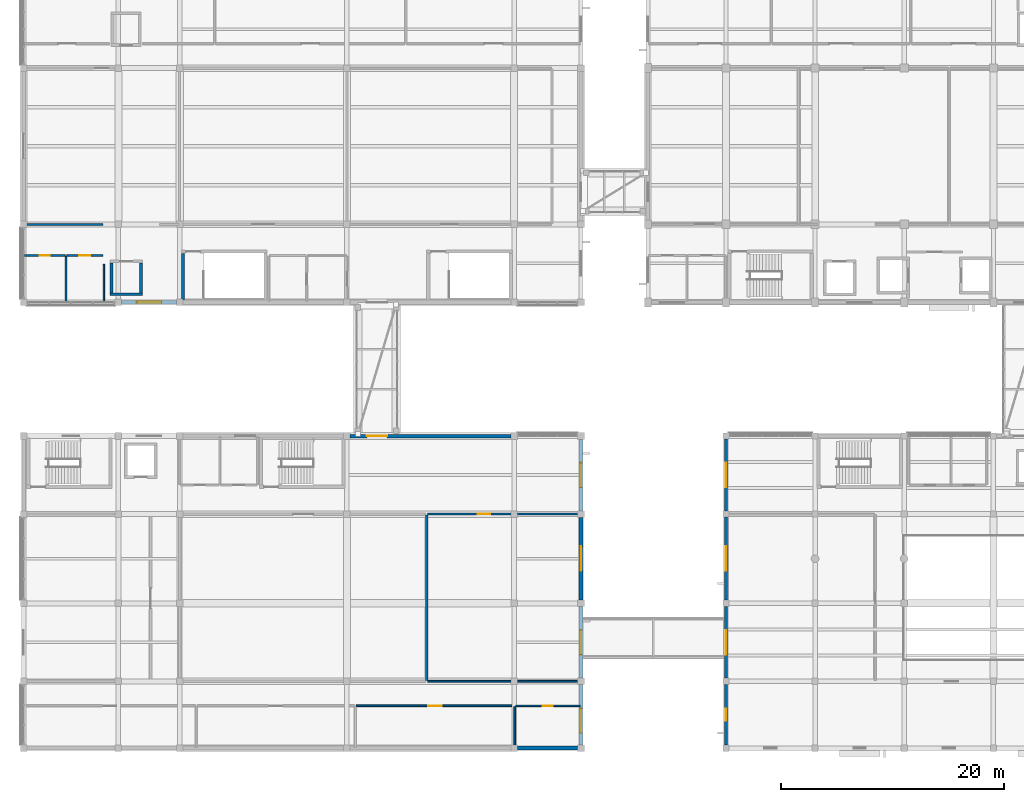
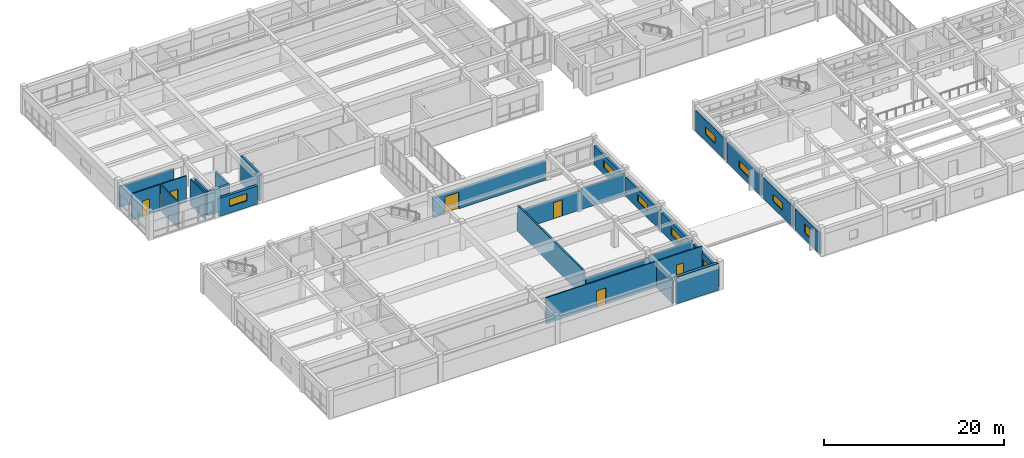
# One storey, part 45 of 66: 28 walls, 9 windows, 6 doors, 15 openings.
"""IFC4 building model written with IfcOpenShell, lengths in metres."""

from ifc_helpers import new_model, si_unit, direction, frame, frame_2d, origin, place, context, subcontext, project, spatial, rectangle, extrude, material, layer, layer_set, type_object, element, fill, save


model = new_model("IFC4")

# Units and contexts
model_context = context("Model", 3, precision=1e-05, world=origin(), true_north=direction((0.0, 1.0)))
body_context = subcontext(model_context, "Body", "Model", "MODEL_VIEW")
ifc_project = project(units=[si_unit("LENGTHUNIT", "METRE"), si_unit("AREAUNIT", "SQUARE_METRE"), si_unit("VOLUMEUNIT", "CUBIC_METRE"), si_unit("PLANEANGLEUNIT", "RADIAN"), si_unit("MASSUNIT", "GRAM", prefix="KILO")], contexts=[model_context])

# Site, building, storey
site_placement = place(None, origin())
site = spatial("IfcSite", under=ifc_project, at=site_placement, CompositionType="ELEMENT")
building_placement = place(site_placement, origin())
building = spatial("IfcBuilding", under=site, at=building_placement, Name="Naurynzar Civic Courthouse", CompositionType="ELEMENT")
storey_placement = place(building_placement, frame((0.0, 0.0, 14.39990234375)))
storey = spatial("IfcBuildingStorey", under=building, at=storey_placement, Name="L04", CompositionType="ELEMENT", Elevation=14.39990234375)

# Walls
ifc_material_1 = material(Name="Acoustic Double-Stud Gypsum Partition")
ifc_layer_1 = layer(ifc_material_1, 0.2099609375)
ifc_layer_set_1 = layer_set([ifc_layer_1], Name="WL-ACOUSTIC-210")
wall_type_1 = type_object("IfcWallType", Name="WL-ACOUSTIC-210", PredefinedType="PARTITIONING", material=ifc_layer_set_1)
wall_1_placement = place(storey_placement, frame((42.14990234375, 10.080078125, 0.0), z_axis=(0.0, 0.0, 1.0), x_axis=(0.0, 1.0, 0.0)))
element("IfcWall", 1, at=wall_1_placement, inside=storey, type_object=wall_type_1, Name="V4 interior partition L04.528", PredefinedType="PARTITIONING", context=body_context, shape_type="SweptSolid", body=[
    extrude(rectangle(XDim=14.83984375, YDim=0.2099609375, at=frame_2d((7.419921875, 0.0))), origin(), (0.0, 0.0, 1.0), 3.5400390625),
])
ifc_material_2 = material(Name="Concrete C40/50", Category="concrete")
ifc_layer_2 = layer(ifc_material_2, 0.300048828125)
ifc_layer_set_2 = layer_set([ifc_layer_2], Name="WL-CORE-300")
wall_type_2 = type_object("IfcWallType", Name="WL-CORE-300", PredefinedType="SHEAR", material=ifc_layer_set_2)
wall_2_placement = place(storey_placement, frame((20.300048828125, 48.39501953125, 0.0), z_axis=(0.0, 0.0, 1.0), x_axis=(0.0, -1.0, 0.0)))
element("IfcWall", 2, at=wall_2_placement, inside=storey, type_object=wall_type_2, Name="Stair ST-V1A enclosure wall west L04", PredefinedType="SHEAR", context=body_context, shape_type="SweptSolid", body=[
    extrude(rectangle(XDim=4.199951171875, YDim=0.300048828125, at=frame_2d((2.10009765625, 0.0))), origin(), (0.0, 0.0, 1.0), 3.6201171875),
])

# Wall, opening, window
ifc_material_3 = material(Name="Precast concrete C40/50", Category="concrete")
ifc_layer_3 = layer(ifc_material_3, 0.260009765625)
ifc_layer_set_3 = layer_set([ifc_layer_3], Name="WL-EXT-260")
wall_type_3 = type_object("IfcWallType", Name="WL-EXT-260", PredefinedType="SOLIDWALL", material=ifc_layer_set_3)
wall_3_placement = place(storey_placement, frame((69.0, 4.27490234375, 0.0), z_axis=(0.0, 0.0, 1.0), x_axis=(0.0, 1.0, 0.0)))
wall_3 = element("IfcWall", 3, at=wall_3_placement, inside=storey, type_object=wall_type_3, Name="V3 exterior wall west L04.1.1", PredefinedType="SOLIDWALL", context=body_context, shape_type="SweptSolid", body=[
    extrude(rectangle(XDim=5.4501953125, YDim=0.260009765625, at=frame_2d((2.72509765625, 0.0))), origin(), (0.0, 0.0, 1.0), 2.840087890625),
])
opening_1_placement = place(wall_3_placement, frame((2.175048828125, 0.0, 0.89990234375)))
opening_1 = element("IfcOpeningElement", 4, at=opening_1_placement, cuts=wall_3, Name="Opening WN-15", PredefinedType="OPENING", context=body_context, shape_type="SweptSolid", body=[
    extrude(rectangle(XDim=1.10009765625, YDim=1.199951171875, at=frame_2d((0.550048828125, 0.60009765625))), frame((0.0, 0.139892578125, 0.0), z_axis=(0.0, -1.0, 0.0), x_axis=(1.0, 0.0, 0.0)), (0.0, 0.0, 1.0), 0.280029296875),
])
ifc_material_4 = material(Name="Tempered Laminated Low-E Glass", Category="glass")
window_type_1 = type_object("IfcWindowType", Name="WIN-SEC-1100x1200", PartitioningType="SINGLE_PANEL", PredefinedType="WINDOW", material=ifc_material_4)
window_1_placement = place(opening_1_placement, origin())
window_1 = element("IfcWindow", 5, at=window_1_placement, inside=storey, type_object=window_type_1, Name="V3 window 178 L04", OverallHeight=1.199951171875, OverallWidth=1.10009765625, PartitioningType="SINGLE_PANEL", PredefinedType="WINDOW", context=body_context, shape_type="SweptSolid", body=[
    extrude(rectangle(XDim=1.10009765625, YDim=1.199951171875, at=frame_2d((0.550048828125, 0.60009765625))), frame((0.0, 0.030029296875, 0.0), z_axis=(0.0, -1.0, 0.0), x_axis=(1.0, 0.0, 0.0)), (0.0, 0.0, 1.0), 0.06005859375),
])
fill(opening_1, window_1)

wall_4_placement = place(storey_placement, frame((69.0, 10.27490234375, 0.0), z_axis=(0.0, 0.0, 1.0), x_axis=(0.0, 1.0, 0.0)))
wall_4 = element("IfcWall", 6, at=wall_4_placement, inside=storey, type_object=wall_type_3, Name="V3 exterior wall west L04.2.1", PredefinedType="SOLIDWALL", context=body_context, shape_type="SweptSolid", body=[
    extrude(rectangle(XDim=6.4501953125, YDim=0.260009765625, at=frame_2d((3.22509765625, 0.0))), origin(), (0.0, 0.0, 1.0), 2.840087890625),
])
opening_2_placement = place(wall_4_placement, frame((2.125, 0.0, 0.89990234375)))
opening_2 = element("IfcOpeningElement", 7, at=opening_2_placement, cuts=wall_4, Name="Opening WN-18", PredefinedType="OPENING", context=body_context, shape_type="SweptSolid", body=[
    extrude(rectangle(XDim=2.199951171875, YDim=1.0, at=frame_2d((1.10009765625, 0.5))), frame((0.0, 0.139892578125, 0.0), z_axis=(0.0, -1.0, 0.0), x_axis=(1.0, 0.0, 0.0)), (0.0, 0.0, 1.0), 0.280029296875),
])
ifc_material_5 = material(Name="Tempered Laminated Low-E Glass", Category="glass")
window_type_2 = type_object("IfcWindowType", Name="WIN-CLER-2200x1000", PartitioningType="DOUBLE_PANEL_VERTICAL", PredefinedType="WINDOW", material=ifc_material_5)
window_2_placement = place(opening_2_placement, origin())
window_2 = element("IfcWindow", 8, at=window_2_placement, inside=storey, type_object=window_type_2, Name="V3 window 179 L04", OverallHeight=1.0, OverallWidth=2.199951171875, PartitioningType="SINGLE_PANEL", PredefinedType="WINDOW", context=body_context, shape_type="SweptSolid", body=[
    extrude(rectangle(XDim=2.199951171875, YDim=1.0, at=frame_2d((1.10009765625, 0.5))), frame((0.0, 0.030029296875, 0.0), z_axis=(0.0, -1.0, 0.0), x_axis=(1.0, 0.0, 0.0)), (0.0, 0.0, 1.0), 0.06005859375),
])
fill(opening_2, window_2)

wall_5_placement = place(storey_placement, frame((69.0, 17.27490234375, 0.0), z_axis=(0.0, 0.0, 1.0), x_axis=(0.0, 1.0, 0.0)))
wall_5 = element("IfcWall", 9, at=wall_5_placement, inside=storey, type_object=wall_type_3, Name="V3 exterior wall west L04.3.1", PredefinedType="SOLIDWALL", context=body_context, shape_type="SweptSolid", body=[
    extrude(rectangle(XDim=7.4501953125, YDim=0.260009765625, at=frame_2d((3.72509765625, 0.0))), origin(), (0.0, 0.0, 1.0), 2.840087890625),
])
opening_3_placement = place(wall_5_placement, frame((2.625, 0.0, 0.89990234375)))
opening_3 = element("IfcOpeningElement", 10, at=opening_3_placement, cuts=wall_5, Name="Opening WN-18", PredefinedType="OPENING", context=body_context, shape_type="SweptSolid", body=[
    extrude(rectangle(XDim=2.199951171875, YDim=1.0, at=frame_2d((1.10009765625, 0.5))), frame((0.0, 0.139892578125, 0.0), z_axis=(0.0, -1.0, 0.0), x_axis=(1.0, 0.0, 0.0)), (0.0, 0.0, 1.0), 0.280029296875),
])
window_3_placement = place(opening_3_placement, origin())
window_3 = element("IfcWindow", 11, at=window_3_placement, inside=storey, type_object=window_type_2, Name="V3 window 180 L04", OverallHeight=1.0, OverallWidth=2.199951171875, PartitioningType="SINGLE_PANEL", PredefinedType="WINDOW", context=body_context, shape_type="SweptSolid", body=[
    extrude(rectangle(XDim=2.199951171875, YDim=1.0, at=frame_2d((1.10009765625, 0.5))), frame((0.0, 0.030029296875, 0.0), z_axis=(0.0, -1.0, 0.0), x_axis=(1.0, 0.0, 0.0)), (0.0, 0.0, 1.0), 0.06005859375),
])
fill(opening_3, window_3)

wall_6_placement = place(storey_placement, frame((69.0, 25.27490234375, 0.0), z_axis=(0.0, 0.0, 1.0), x_axis=(0.0, 1.0, 0.0)))
wall_6 = element("IfcWall", 12, at=wall_6_placement, inside=storey, type_object=wall_type_3, Name="V3 exterior wall west L04.4.1", PredefinedType="SOLIDWALL", context=body_context, shape_type="SweptSolid", body=[
    extrude(rectangle(XDim=6.4501953125, YDim=0.260009765625, at=frame_2d((3.22509765625, 0.0))), origin(), (0.0, 0.0, 1.0), 2.840087890625),
])
opening_4_placement = place(wall_6_placement, frame((2.125, 0.0, 0.89990234375)))
opening_4 = element("IfcOpeningElement", 13, at=opening_4_placement, cuts=wall_6, Name="Opening WN-18", PredefinedType="OPENING", context=body_context, shape_type="SweptSolid", body=[
    extrude(rectangle(XDim=2.199951171875, YDim=1.0, at=frame_2d((1.10009765625, 0.5))), frame((0.0, 0.139892578125, 0.0), z_axis=(0.0, -1.0, 0.0), x_axis=(1.0, 0.0, 0.0)), (0.0, 0.0, 1.0), 0.280029296875),
])
window_4_placement = place(opening_4_placement, origin())
window_4 = element("IfcWindow", 14, at=window_4_placement, inside=storey, type_object=window_type_2, Name="V3 window 181 L04", OverallHeight=1.0, OverallWidth=2.199951171875, PartitioningType="SINGLE_PANEL", PredefinedType="WINDOW", context=body_context, shape_type="SweptSolid", body=[
    extrude(rectangle(XDim=2.199951171875, YDim=1.0, at=frame_2d((1.10009765625, 0.5))), frame((0.0, 0.030029296875, 0.0), z_axis=(0.0, -1.0, 0.0), x_axis=(1.0, 0.0, 0.0)), (0.0, 0.0, 1.0), 0.06005859375),
])
fill(opening_4, window_4)

ifc_material_6 = material(Name="Precast concrete C40/50", Category="concrete")
ifc_layer_4 = layer(ifc_material_6, 0.320068359375)
ifc_layer_set_4 = layer_set([ifc_layer_4], Name="WL-EXT-320")
wall_type_4 = type_object("IfcWallType", Name="WL-EXT-320", PredefinedType="SOLIDWALL", material=ifc_layer_set_4)
wall_7_placement = place(storey_placement, frame((19.699951171875, 44.0, 0.0), z_axis=(0.0, 0.0, 1.0), x_axis=(-1.0, 0.0, 0.0)))
wall_7 = element("IfcWall", 15, at=wall_7_placement, inside=storey, type_object=wall_type_4, Name="V1 exterior wall south L04.4.1", PredefinedType="SOLIDWALL", context=body_context, shape_type="SweptSolid", body=[
    extrude(rectangle(XDim=4.89990234375, YDim=0.320068359375, at=frame_2d((2.449951171875, 0.0))), origin(), (0.0, 0.0, 1.0), 2.460205078125),
])
opening_5_placement = place(wall_7_placement, frame((1.35009765625, 0.0, 0.89990234375)))
opening_5 = element("IfcOpeningElement", 16, at=opening_5_placement, cuts=wall_7, Name="Opening WN-18", PredefinedType="OPENING", context=body_context, shape_type="SweptSolid", body=[
    extrude(rectangle(XDim=2.199951171875, YDim=1.0, at=frame_2d((1.10009765625, 0.5))), frame((0.0, 0.169921875, 0.0), z_axis=(0.0, -1.0, 0.0), x_axis=(1.0, 0.0, 0.0)), (0.0, 0.0, 1.0), 0.340087890625),
])
window_5_placement = place(opening_5_placement, origin())
window_5 = element("IfcWindow", 17, at=window_5_placement, inside=storey, type_object=window_type_2, Name="V1 window 38 L04", OverallHeight=1.0, OverallWidth=2.199951171875, PartitioningType="SINGLE_PANEL", PredefinedType="WINDOW", context=body_context, shape_type="SweptSolid", body=[
    extrude(rectangle(XDim=2.199951171875, YDim=1.0, at=frame_2d((1.10009765625, 0.5))), frame((0.0, 0.030029296875, 0.0), z_axis=(0.0, -1.0, 0.0), x_axis=(1.0, 0.0, 0.0)), (0.0, 0.0, 1.0), 0.06005859375),
])
fill(opening_5, window_5)

# Wall, opening, door
wall_8_placement = place(storey_placement, frame((35.300048828125, 32.0, 0.0), z_axis=(0.0, 0.0, 1.0), x_axis=(1.0, 0.0, 0.0)))
wall_8 = element("IfcWall", 18, at=wall_8_placement, inside=storey, type_object=wall_type_4, Name="V4 exterior wall north L04.4.1", PredefinedType="SOLIDWALL", context=body_context, shape_type="SweptSolid", body=[
    extrude(rectangle(XDim=14.39990234375, YDim=0.320068359375, at=frame_2d((7.199951171875, 0.0))), origin(), (0.0, 0.0, 1.0), 2.610107421875),
])
opening_6_placement = place(wall_8_placement, frame((1.5, 0.0, 0.0)))
opening_6 = element("IfcOpeningElement", 19, at=opening_6_placement, cuts=wall_8, Name="Opening BD-33", PredefinedType="OPENING", context=body_context, shape_type="SweptSolid", body=[
    extrude(rectangle(XDim=1.800048828125, YDim=2.25, at=frame_2d((0.89990234375, 1.125))), frame((0.0, 0.169921875, 0.0), z_axis=(0.0, -1.0, 0.0), x_axis=(1.0, 0.0, 0.0)), (0.0, 0.0, 1.0), 0.340087890625),
])
ifc_material_7 = material(Name="Aluminium 6063-T6", Category="aluminium")
door_type_1 = type_object("IfcDoorType", Name="DR-BRG-1800x2250", OperationType="DOUBLE_DOOR_SINGLE_SWING", PredefinedType="DOOR", material=ifc_material_7)
door_1_placement = place(opening_6_placement, origin())
door_1 = element("IfcDoor", 20, at=door_1_placement, inside=storey, type_object=door_type_1, Name="Seismic bridge fire door BD-33", OperationType="DOUBLE_DOOR_SINGLE_SWING", OverallHeight=2.25, OverallWidth=1.800048828125, PredefinedType="DOOR", context=body_context, shape_type="SweptSolid", body=[
    extrude(rectangle(XDim=1.800048828125, YDim=2.25, at=frame_2d((0.89990234375, 1.125))), frame((0.0, 0.02490234375, 0.0), z_axis=(0.0, -1.0, 0.0), x_axis=(1.0, 0.0, 0.0)), (0.0, 0.0, 1.0), 0.050048828125),
])
fill(opening_6, door_1)

# Wall, opening, window
wall_9_placement = place(storey_placement, frame((56.0, 31.699951171875, 0.0), z_axis=(0.0, 0.0, 1.0), x_axis=(0.0, -1.0, 0.0)))
wall_9 = element("IfcWall", 21, at=wall_9_placement, inside=storey, type_object=wall_type_4, Name="V4 exterior wall east L04.1.1", PredefinedType="SOLIDWALL", context=body_context, shape_type="SweptSolid", body=[
    extrude(rectangle(XDim=6.39990234375, YDim=0.320068359375, at=frame_2d((3.199951171875, 0.0))), origin(), (0.0, 0.0, 1.0), 2.610107421875),
])
opening_7_placement = place(wall_9_placement, frame((2.10009765625, 0.0, 0.89990234375)))
opening_7 = element("IfcOpeningElement", 22, at=opening_7_placement, cuts=wall_9, Name="Opening WN-18", PredefinedType="OPENING", context=body_context, shape_type="SweptSolid", body=[
    extrude(rectangle(XDim=2.199951171875, YDim=1.0, at=frame_2d((1.10009765625, 0.5))), frame((0.0, 0.169921875, 0.0), z_axis=(0.0, -1.0, 0.0), x_axis=(1.0, 0.0, 0.0)), (0.0, 0.0, 1.0), 0.340087890625),
])
window_6_placement = place(opening_7_placement, origin())
window_6 = element("IfcWindow", 23, at=window_6_placement, inside=storey, type_object=window_type_2, Name="V4 window 229 L04", OverallHeight=1.0, OverallWidth=2.199951171875, PartitioningType="SINGLE_PANEL", PredefinedType="WINDOW", context=body_context, shape_type="SweptSolid", body=[
    extrude(rectangle(XDim=2.199951171875, YDim=1.0, at=frame_2d((1.10009765625, 0.5))), frame((0.0, 0.030029296875, 0.0), z_axis=(0.0, -1.0, 0.0), x_axis=(1.0, 0.0, 0.0)), (0.0, 0.0, 1.0), 0.06005859375),
])
fill(opening_7, window_6)

wall_10_placement = place(storey_placement, frame((56.0, 24.699951171875, 0.0), z_axis=(0.0, 0.0, 1.0), x_axis=(0.0, -1.0, 0.0)))
wall_10 = element("IfcWall", 24, at=wall_10_placement, inside=storey, type_object=wall_type_4, Name="V4 exterior wall east L04.2.1", PredefinedType="SOLIDWALL", context=body_context, shape_type="SweptSolid", body=[
    extrude(rectangle(XDim=7.39990234375, YDim=0.320068359375, at=frame_2d((3.699951171875, 0.0))), origin(), (0.0, 0.0, 1.0), 2.610107421875),
])
opening_8_placement = place(wall_10_placement, frame((2.60009765625, 0.0, 0.89990234375)))
opening_8 = element("IfcOpeningElement", 25, at=opening_8_placement, cuts=wall_10, Name="Opening WN-18", PredefinedType="OPENING", context=body_context, shape_type="SweptSolid", body=[
    extrude(rectangle(XDim=2.199951171875, YDim=1.0, at=frame_2d((1.10009765625, 0.5))), frame((0.0, 0.169921875, 0.0), z_axis=(0.0, -1.0, 0.0), x_axis=(1.0, 0.0, 0.0)), (0.0, 0.0, 1.0), 0.340087890625),
])
window_7_placement = place(opening_8_placement, origin())
window_7 = element("IfcWindow", 26, at=window_7_placement, inside=storey, type_object=window_type_2, Name="V4 window 230 L04", OverallHeight=1.0, OverallWidth=2.199951171875, PartitioningType="SINGLE_PANEL", PredefinedType="WINDOW", context=body_context, shape_type="SweptSolid", body=[
    extrude(rectangle(XDim=2.199951171875, YDim=1.0, at=frame_2d((1.10009765625, 0.5))), frame((0.0, 0.030029296875, 0.0), z_axis=(0.0, -1.0, 0.0), x_axis=(1.0, 0.0, 0.0)), (0.0, 0.0, 1.0), 0.06005859375),
])
fill(opening_8, window_7)

wall_11_placement = place(storey_placement, frame((56.0, 16.699951171875, 0.0), z_axis=(0.0, 0.0, 1.0), x_axis=(0.0, -1.0, 0.0)))
wall_11 = element("IfcWall", 27, at=wall_11_placement, inside=storey, type_object=wall_type_4, Name="V4 exterior wall east L04.3.1", PredefinedType="SOLIDWALL", context=body_context, shape_type="SweptSolid", body=[
    extrude(rectangle(XDim=6.39990234375, YDim=0.320068359375, at=frame_2d((3.199951171875, 0.0))), origin(), (0.0, 0.0, 1.0), 2.610107421875),
])
opening_9_placement = place(wall_11_placement, frame((2.10009765625, 0.0, 0.89990234375)))
opening_9 = element("IfcOpeningElement", 28, at=opening_9_placement, cuts=wall_11, Name="Opening WN-18", PredefinedType="OPENING", context=body_context, shape_type="SweptSolid", body=[
    extrude(rectangle(XDim=2.199951171875, YDim=1.0, at=frame_2d((1.10009765625, 0.5))), frame((0.0, 0.169921875, 0.0), z_axis=(0.0, -1.0, 0.0), x_axis=(1.0, 0.0, 0.0)), (0.0, 0.0, 1.0), 0.340087890625),
])
window_8_placement = place(opening_9_placement, origin())
window_8 = element("IfcWindow", 29, at=window_8_placement, inside=storey, type_object=window_type_2, Name="V4 window 231 L04", OverallHeight=1.0, OverallWidth=2.199951171875, PartitioningType="SINGLE_PANEL", PredefinedType="WINDOW", context=body_context, shape_type="SweptSolid", body=[
    extrude(rectangle(XDim=2.199951171875, YDim=1.0, at=frame_2d((1.10009765625, 0.5))), frame((0.0, 0.030029296875, 0.0), z_axis=(0.0, -1.0, 0.0), x_axis=(1.0, 0.0, 0.0)), (0.0, 0.0, 1.0), 0.06005859375),
])
fill(opening_9, window_8)

wall_12_placement = place(storey_placement, frame((56.0, 9.699951171875, 0.0), z_axis=(0.0, 0.0, 1.0), x_axis=(0.0, -1.0, 0.0)))
wall_12 = element("IfcWall", 30, at=wall_12_placement, inside=storey, type_object=wall_type_4, Name="V4 exterior wall east L04.4.1", PredefinedType="SOLIDWALL", context=body_context, shape_type="SweptSolid", body=[
    extrude(rectangle(XDim=5.39990234375, YDim=0.320068359375, at=frame_2d((2.699951171875, 0.0))), origin(), (0.0, 0.0, 1.0), 2.610107421875),
])
opening_10_placement = place(wall_12_placement, frame((2.1201171875, 0.0, 0.89990234375)))
opening_10 = element("IfcOpeningElement", 31, at=opening_10_placement, cuts=wall_12, Name="Opening WN-18", PredefinedType="OPENING", context=body_context, shape_type="SweptSolid", body=[
    extrude(rectangle(XDim=2.199951171875, YDim=1.0, at=frame_2d((1.10009765625, 0.5))), frame((0.0, 0.169921875, 0.0), z_axis=(0.0, -1.0, 0.0), x_axis=(1.0, 0.0, 0.0)), (0.0, 0.0, 1.0), 0.340087890625),
])
window_9_placement = place(opening_10_placement, origin())
window_9 = element("IfcWindow", 32, at=window_9_placement, inside=storey, type_object=window_type_2, Name="V4 window 232 L04", OverallHeight=1.0, OverallWidth=2.199951171875, PartitioningType="SINGLE_PANEL", PredefinedType="WINDOW", context=body_context, shape_type="SweptSolid", body=[
    extrude(rectangle(XDim=2.199951171875, YDim=1.0, at=frame_2d((1.10009765625, 0.5))), frame((0.0, 0.030029296875, 0.0), z_axis=(0.0, -1.0, 0.0), x_axis=(1.0, 0.0, 0.0)), (0.0, 0.0, 1.0), 0.06005859375),
])
fill(opening_10, window_9)

# Wall, opening, door
ifc_material_8 = material(Name="Insulated Metal-Stud Gypsum Partition")
ifc_layer_5 = layer(ifc_material_8, 0.159912109375)
ifc_layer_set_5 = layer_set([ifc_layer_5], Name="WL-PART-CHAMB-160")
wall_type_5 = type_object("IfcWallType", Name="WL-PART-CHAMB-160", PredefinedType="PARTITIONING", material=ifc_layer_set_5)
wall_13_placement = place(storey_placement, frame((35.840087890625, 7.800048828125, 0.0), z_axis=(0.0, 0.0, 1.0), x_axis=(1.0, 0.0, 0.0)))
wall_13 = element("IfcWall", 33, at=wall_13_placement, inside=storey, type_object=wall_type_5, Name="V4 interior partition L04.439", PredefinedType="PARTITIONING", context=body_context, shape_type="SweptSolid", body=[
    extrude(rectangle(XDim=14.1298828125, YDim=0.159912109375, at=frame_2d((7.06494140625, 0.0))), origin(), (0.0, 0.0, 1.0), 3.5400390625),
])
opening_11_placement = place(wall_13_placement, frame((6.455078125, 0.0, 0.0)))
opening_11 = element("IfcOpeningElement", 34, at=opening_11_placement, cuts=wall_13, Name="Opening D-086", PredefinedType="OPENING", context=body_context, shape_type="SweptSolid", body=[
    extrude(rectangle(XDim=1.219970703125, YDim=2.199951171875, at=frame_2d((0.60986328125, 1.10009765625))), frame((0.0, 0.08984375, 0.0), z_axis=(0.0, -1.0, 0.0), x_axis=(1.0, 0.0, 0.0)), (0.0, 0.0, 1.0), 0.179931640625),
])
ifc_material_9 = material(Name="Acoustic Oak Timber Grade A", Category="wood")
door_type_2 = type_object("IfcDoorType", Name="DR-SUITE-1220x2200", OperationType="NOTDEFINED", PredefinedType="DOOR", material=ifc_material_9)
door_2_placement = place(opening_11_placement, origin())
door_2 = element("IfcDoor", 35, at=door_2_placement, inside=storey, type_object=door_type_2, Name="Interior door D-086 (Registrar Records Office)", OperationType="SINGLE_SWING_RIGHT", OverallHeight=2.199951171875, OverallWidth=1.219970703125, PredefinedType="DOOR", context=body_context, shape_type="SweptSolid", body=[
    extrude(rectangle(XDim=1.219970703125, YDim=2.199951171875, at=frame_2d((0.60986328125, 1.10009765625))), frame((0.0, 0.02490234375, 0.0), z_axis=(0.0, -1.0, 0.0), x_axis=(1.0, 0.0, 0.0)), (0.0, 0.0, 1.0), 0.050048828125),
])
fill(opening_11, door_2)

# Walls
wall_14_placement = place(storey_placement, frame((42.22998046875, 10.0, 0.0), z_axis=(0.0, 0.0, 1.0), x_axis=(1.0, 0.0, 0.0)))
element("IfcWall", 36, at=wall_14_placement, inside=storey, type_object=wall_type_5, Name="V4 interior partition L04.446a", PredefinedType="PARTITIONING", context=body_context, shape_type="SweptSolid", body=[
    extrude(rectangle(XDim=8.070068359375, YDim=0.159912109375, at=frame_2d((4.03515625, 0.0))), origin(), (0.0, 0.0, 1.0), 2.630126953125),
])
wall_15_placement = place(storey_placement, frame((50.300048828125, 10.0, 0.0), z_axis=(0.0, 0.0, 1.0), x_axis=(1.0, 0.0, 0.0)))
element("IfcWall", 37, at=wall_15_placement, inside=storey, type_object=wall_type_5, Name="V4 interior partition L04.446ab", PredefinedType="PARTITIONING", context=body_context, shape_type="SweptSolid", body=[
    extrude(rectangle(XDim=5.619873046875, YDim=0.159912109375, at=frame_2d((2.81005859375, 0.0))), origin(), (0.0, 0.0, 1.0), 2.880126953125),
])

# Wall, opening, door
wall_16_placement = place(storey_placement, frame((42.22998046875, 25.0, 0.0), z_axis=(0.0, 0.0, 1.0), x_axis=(1.0, 0.0, 0.0)))
wall_16 = element("IfcWall", 38, at=wall_16_placement, inside=storey, type_object=wall_type_5, Name="V4 interior partition L04.458a", PredefinedType="PARTITIONING", context=body_context, shape_type="SweptSolid", body=[
    extrude(rectangle(XDim=8.070068359375, YDim=0.159912109375, at=frame_2d((4.03515625, 0.0))), origin(), (0.0, 0.0, 1.0), 2.630126953125),
])
opening_12_placement = place(wall_16_placement, frame((4.50439453125, 0.0, 0.0)))
opening_12 = element("IfcOpeningElement", 39, at=opening_12_placement, cuts=wall_16, Name="Opening D-083", PredefinedType="OPENING", context=body_context, shape_type="SweptSolid", body=[
    extrude(rectangle(XDim=1.1201171875, YDim=2.199951171875, at=frame_2d((0.56005859375, 1.10009765625))), frame((0.0, 0.08984375, 0.0), z_axis=(0.0, -1.0, 0.0), x_axis=(1.0, 0.0, 0.0)), (0.0, 0.0, 1.0), 0.179931640625),
])
ifc_material_10 = material(Name="Acoustic Oak Timber Grade A", Category="wood")
door_type_3 = type_object("IfcDoorType", Name="DR-SUITE-1120x2200", OperationType="NOTDEFINED", PredefinedType="DOOR", material=ifc_material_10)
door_3_placement = place(opening_12_placement, origin())
door_3 = element("IfcDoor", 40, at=door_3_placement, inside=storey, type_object=door_type_3, Name="Interior door D-083 (Judicial IT and Recording Control)", OperationType="SINGLE_SWING_LEFT", OverallHeight=2.199951171875, OverallWidth=1.1201171875, PredefinedType="DOOR", context=body_context, shape_type="SweptSolid", body=[
    extrude(rectangle(XDim=1.1201171875, YDim=2.199951171875, at=frame_2d((0.56005859375, 1.10009765625))), frame((0.0, 0.02490234375, 0.0), z_axis=(0.0, -1.0, 0.0), x_axis=(1.0, 0.0, 0.0)), (0.0, 0.0, 1.0), 0.050048828125),
])
fill(opening_12, door_3)

# Walls
wall_17_placement = place(storey_placement, frame((50.300048828125, 25.0, 0.0), z_axis=(0.0, 0.0, 1.0), x_axis=(1.0, 0.0, 0.0)))
element("IfcWall", 41, at=wall_17_placement, inside=storey, type_object=wall_type_5, Name="V4 interior partition L04.458ab", PredefinedType="PARTITIONING", context=body_context, shape_type="SweptSolid", body=[
    extrude(rectangle(XDim=5.619873046875, YDim=0.159912109375, at=frame_2d((2.81005859375, 0.0))), origin(), (0.0, 0.0, 1.0), 2.880126953125),
])
wall_18_placement = place(storey_placement, frame((50.050048828125, 4.080078125, 0.0), z_axis=(0.0, 0.0, 1.0), x_axis=(0.0, 1.0, 0.0)))
element("IfcWall", 42, at=wall_18_placement, inside=storey, type_object=wall_type_5, Name="V4 interior partition L04.529", PredefinedType="PARTITIONING", context=body_context, shape_type="SweptSolid", body=[
    extrude(rectangle(XDim=3.639892578125, YDim=0.159912109375, at=frame_2d((1.81982421875, 0.0))), origin(), (0.0, 0.0, 1.0), 3.030029296875),
])
ifc_material_11 = material(Name="Acoustic Double-Stud Gypsum Partition")
ifc_layer_6 = layer(ifc_material_11, 0.179931640625)
ifc_layer_set_6 = layer_set([ifc_layer_6], Name="WL-PART-JURY-180")
wall_type_6 = type_object("IfcWallType", Name="WL-PART-JURY-180", PredefinedType="PARTITIONING", material=ifc_layer_set_6)
wall_19_placement = place(storey_placement, frame((6.080078125, 51.0, 0.0), z_axis=(0.0, 0.0, 1.0), x_axis=(1.0, 0.0, 0.0)))
element("IfcWall", 43, at=wall_19_placement, inside=storey, type_object=wall_type_6, Name="V1 interior partition L04.480", PredefinedType="PARTITIONING", context=body_context, shape_type="SweptSolid", body=[
    extrude(rectangle(XDim=7.02001953125, YDim=0.179931640625, at=frame_2d((3.510009765625, 0.0))), origin(), (0.0, 0.0, 1.0), 2.830078125),
])

# Wall, opening, door
ifc_material_12 = material(Name="Moisture-Resistant Plumbing Partition")
ifc_layer_7 = layer(ifc_material_12, 0.139892578125)
ifc_layer_set_7 = layer_set([ifc_layer_7], Name="WL-PART-WC-140")
wall_type_7 = type_object("IfcWallType", Name="WL-PART-WC-140", PredefinedType="PLUMBINGWALL", material=ifc_layer_set_7)
wall_20_placement = place(storey_placement, frame((50.1298828125, 7.800048828125, 0.0), z_axis=(0.0, 0.0, 1.0), x_axis=(1.0, 0.0, 0.0)))
wall_20 = element("IfcWall", 44, at=wall_20_placement, inside=storey, type_object=wall_type_7, Name="V4 interior partition L04.440", PredefinedType="PLUMBINGWALL", context=body_context, shape_type="SweptSolid", body=[
    extrude(rectangle(XDim=5.7900390625, YDim=0.139892578125, at=frame_2d((2.89501953125, 0.0))), origin(), (0.0, 0.0, 1.0), 3.5400390625),
])
opening_13_placement = place(wall_20_placement, frame((2.43505859375, 0.0, 0.0)))
opening_13 = element("IfcOpeningElement", 45, at=opening_13_placement, cuts=wall_20, Name="Opening D-087", PredefinedType="OPENING", context=body_context, shape_type="SweptSolid", body=[
    extrude(rectangle(XDim=0.919921875, YDim=2.10009765625, at=frame_2d((0.4599609375, 1.050048828125))), frame((0.0, 0.079833984375, 0.0), z_axis=(0.0, -1.0, 0.0), x_axis=(1.0, 0.0, 0.0)), (0.0, 0.0, 1.0), 0.159912109375),
])
ifc_material_13 = material(Name="Acoustic Oak Timber Grade A", Category="wood")
door_type_4 = type_object("IfcDoorType", Name="DR-WC-STD-920x2100", OperationType="NOTDEFINED", PredefinedType="DOOR", material=ifc_material_13)
door_4_placement = place(opening_13_placement, origin())
door_4 = element("IfcDoor", 46, at=door_4_placement, inside=storey, type_object=door_type_4, Name="Interior door D-087 (Staff WC V4)", OperationType="SINGLE_SWING_LEFT", OverallHeight=2.10009765625, OverallWidth=0.919921875, PredefinedType="DOOR", context=body_context, shape_type="SweptSolid", body=[
    extrude(rectangle(XDim=0.919921875, YDim=2.10009765625, at=frame_2d((0.4599609375, 1.050048828125))), frame((0.0, 0.02490234375, 0.0), z_axis=(0.0, -1.0, 0.0), x_axis=(1.0, 0.0, 0.0)), (0.0, 0.0, 1.0), 0.050048828125),
])
fill(opening_13, door_4)

wall_21_placement = place(storey_placement, frame((6.080078125, 48.199951171875, 0.0), z_axis=(0.0, 0.0, 1.0), x_axis=(1.0, 0.0, 0.0)))
wall_21 = element("IfcWall", 47, at=wall_21_placement, inside=storey, type_object=wall_type_7, Name="V1 interior partition L04.472", PredefinedType="PLUMBINGWALL", context=body_context, shape_type="SweptSolid", body=[
    extrude(rectangle(XDim=3.639892578125, YDim=0.139892578125, at=frame_2d((1.81982421875, 0.0))), origin(), (0.0, 0.0, 1.0), 3.5400390625),
])
opening_14_placement = place(wall_21_placement, frame((1.360107421875, 0.0, 0.0)))
opening_14 = element("IfcOpeningElement", 48, at=opening_14_placement, cuts=wall_21, Name="Opening D-039", PredefinedType="OPENING", context=body_context, shape_type="SweptSolid", body=[
    extrude(rectangle(XDim=0.919921875, YDim=2.10009765625, at=frame_2d((0.4599609375, 1.050048828125))), frame((0.0, 0.079833984375, 0.0), z_axis=(0.0, -1.0, 0.0), x_axis=(1.0, 0.0, 0.0)), (0.0, 0.0, 1.0), 0.159912109375),
])
door_5_placement = place(opening_14_placement, origin())
door_5 = element("IfcDoor", 49, at=door_5_placement, inside=storey, type_object=door_type_4, Name="Interior door D-039 (Public WC V1)", OperationType="SINGLE_SWING_LEFT", OverallHeight=2.10009765625, OverallWidth=0.919921875, PredefinedType="DOOR", context=body_context, shape_type="SweptSolid", body=[
    extrude(rectangle(XDim=0.919921875, YDim=2.10009765625, at=frame_2d((0.4599609375, 1.050048828125))), frame((0.0, 0.02490234375, 0.0), z_axis=(0.0, -1.0, 0.0), x_axis=(1.0, 0.0, 0.0)), (0.0, 0.0, 1.0), 0.050048828125),
])
fill(opening_14, door_5)

wall_22_placement = place(storey_placement, frame((9.8798828125, 48.199951171875, 0.0), z_axis=(0.0, 0.0, 1.0), x_axis=(1.0, 0.0, 0.0)))
wall_22 = element("IfcWall", 50, at=wall_22_placement, inside=storey, type_object=wall_type_7, Name="V1 interior partition L04.473", PredefinedType="PLUMBINGWALL", context=body_context, shape_type="SweptSolid", body=[
    extrude(rectangle(XDim=3.22021484375, YDim=0.139892578125, at=frame_2d((1.610107421875, 0.0))), origin(), (0.0, 0.0, 1.0), 3.5400390625),
])
opening_15_placement = place(wall_22_placement, frame((1.1298828125, 0.0, 0.0)))
opening_15 = element("IfcOpeningElement", 51, at=opening_15_placement, cuts=wall_22, Name="Opening D-040", PredefinedType="OPENING", context=body_context, shape_type="SweptSolid", body=[
    extrude(rectangle(XDim=0.9599609375, YDim=2.10009765625, at=frame_2d((0.47998046875, 1.050048828125))), frame((0.0, 0.079833984375, 0.0), z_axis=(0.0, -1.0, 0.0), x_axis=(1.0, 0.0, 0.0)), (0.0, 0.0, 1.0), 0.159912109375),
])
ifc_material_14 = material(Name="Acoustic Oak Timber Grade A", Category="wood")
door_type_5 = type_object("IfcDoorType", Name="DR-WC-ACC-960x2100", OperationType="NOTDEFINED", PredefinedType="DOOR", material=ifc_material_14)
door_6_placement = place(opening_15_placement, origin())
door_6 = element("IfcDoor", 52, at=door_6_placement, inside=storey, type_object=door_type_5, Name="Interior door D-040 (Accessible WC V1)", OperationType="SINGLE_SWING_RIGHT", OverallHeight=2.10009765625, OverallWidth=0.9599609375, PredefinedType="DOOR", context=body_context, shape_type="SweptSolid", body=[
    extrude(rectangle(XDim=0.9599609375, YDim=2.10009765625, at=frame_2d((0.47998046875, 1.050048828125))), frame((0.0, 0.02490234375, 0.0), z_axis=(0.0, -1.0, 0.0), x_axis=(1.0, 0.0, 0.0)), (0.0, 0.0, 1.0), 0.050048828125),
])
fill(opening_15, door_6)

# Walls
wall_23_placement = place(storey_placement, frame((9.800048828125, 44.080078125, 0.0), z_axis=(0.0, 0.0, 1.0), x_axis=(0.0, 1.0, 0.0)))
element("IfcWall", 53, at=wall_23_placement, inside=storey, type_object=wall_type_7, Name="V1 interior partition L04.512", PredefinedType="PLUMBINGWALL", context=body_context, shape_type="SweptSolid", body=[
    extrude(rectangle(XDim=4.0400390625, YDim=0.139892578125, at=frame_2d((2.02001953125, 0.0))), origin(), (0.0, 0.0, 1.0), 3.5400390625),
])
wall_24_placement = place(storey_placement, frame((13.199951171875, 44.080078125, 0.0), z_axis=(0.0, 0.0, 1.0), x_axis=(0.0, 1.0, 0.0)))
element("IfcWall", 54, at=wall_24_placement, inside=storey, type_object=wall_type_7, Name="V1 interior partition L04.513", PredefinedType="PLUMBINGWALL", context=body_context, shape_type="SweptSolid", body=[
    extrude(rectangle(XDim=3.31982421875, YDim=0.139892578125, at=frame_2d((1.659912109375, 0.0))), origin(), (0.0, 0.0, 1.0), 3.5400390625),
])
ifc_material_15 = material(Name="Concrete C40/50", Category="concrete")
ifc_layer_8 = layer(ifc_material_15, 0.360107421875)
ifc_layer_set_8 = layer_set([ifc_layer_8], Name="WL-PARTY-360")
wall_type_8 = type_object("IfcWallType", Name="WL-PARTY-360", PredefinedType="SOLIDWALL", material=ifc_layer_set_8)
wall_25_placement = place(storey_placement, frame((55.699951171875, 4.0, 0.0), z_axis=(0.0, 0.0, 1.0), x_axis=(-1.0, 0.0, 0.0)))
element("IfcWall", 55, at=wall_25_placement, inside=storey, type_object=wall_type_8, Name="V4 solid seismic party wall L04 1", PredefinedType="SOLIDWALL", context=body_context, shape_type="SweptSolid", body=[
    extrude(rectangle(XDim=5.39990234375, YDim=0.360107421875, at=frame_2d((2.699951171875, 0.0))), origin(), (0.0, 0.0, 1.0), 3.64013671875),
])
ifc_material_16 = material(Name="Concrete C40/50", Category="concrete")
ifc_layer_9 = layer(ifc_material_16, 0.25)
ifc_layer_set_9 = layer_set([ifc_layer_9], Name="WL-SHAFT-250")
wall_type_9 = type_object("IfcWallType", Name="WL-SHAFT-250", PredefinedType="SHEAR", material=ifc_layer_set_9)
wall_26_placement = place(storey_placement, frame((13.75, 44.72509765625, 0.0), z_axis=(0.0, 0.0, 1.0), x_axis=(1.0, 0.0, 0.0)))
element("IfcWall", 56, at=wall_26_placement, inside=storey, type_object=wall_type_9, Name="Lift LP-01 shaft wall south L04", PredefinedType="SHEAR", context=body_context, shape_type="SweptSolid", body=[
    extrude(rectangle(XDim=2.89990234375, YDim=0.25, at=frame_2d((1.449951171875, 0.0))), origin(), (0.0, 0.0, 1.0), 3.27001953125),
])
for number, where, z_axis, x_axis, name in (
    (57, (13.875, 47.544921875, 0.0), (0.0, 0.0, 1.0), (0.0, -1.0, 0.0), "Lift LP-01 shaft wall west L04"),
    (58, (16.52490234375, 44.85498046875, 0.0), (0.0, 0.0, 1.0), (0.0, 1.0, 0.0), "Lift LP-01 shaft wall east L04"),
):
    element("IfcWall", number, at=place(storey_placement, frame(where, z_axis=z_axis, x_axis=x_axis)), inside=storey, type_object=wall_type_9, Name=name, PredefinedType="SHEAR", context=body_context, shape_type="SweptSolid", body=[
        extrude(rectangle(XDim=2.68994140625, YDim=0.25, at=frame_2d((1.344970703125, 0.0))), origin(), (0.0, 0.0, 1.0), 3.27001953125),
    ])

save(model, "model.ifc")
